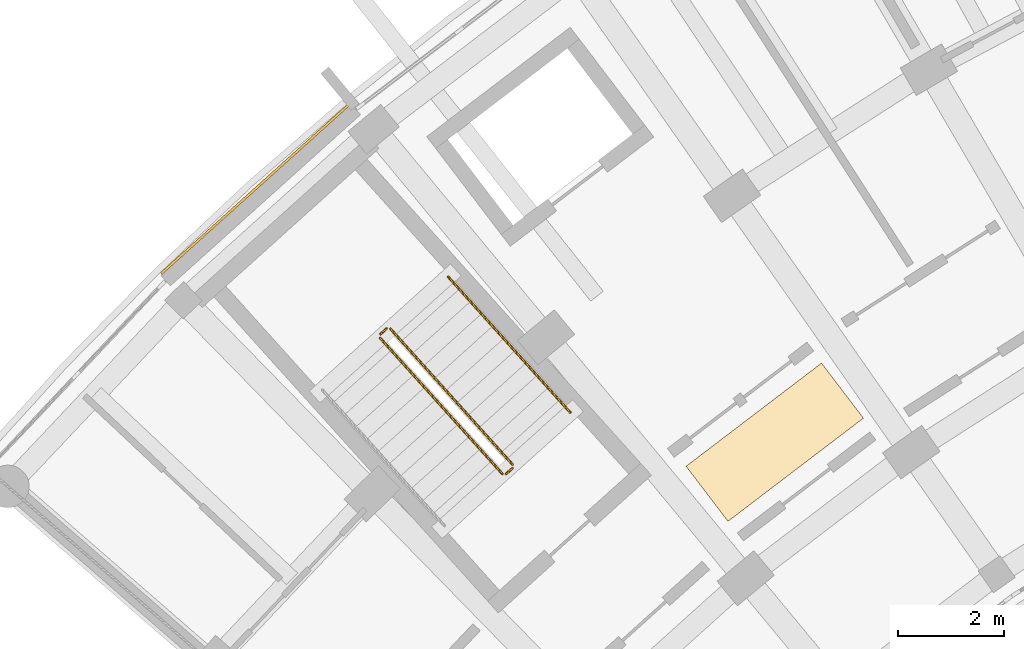
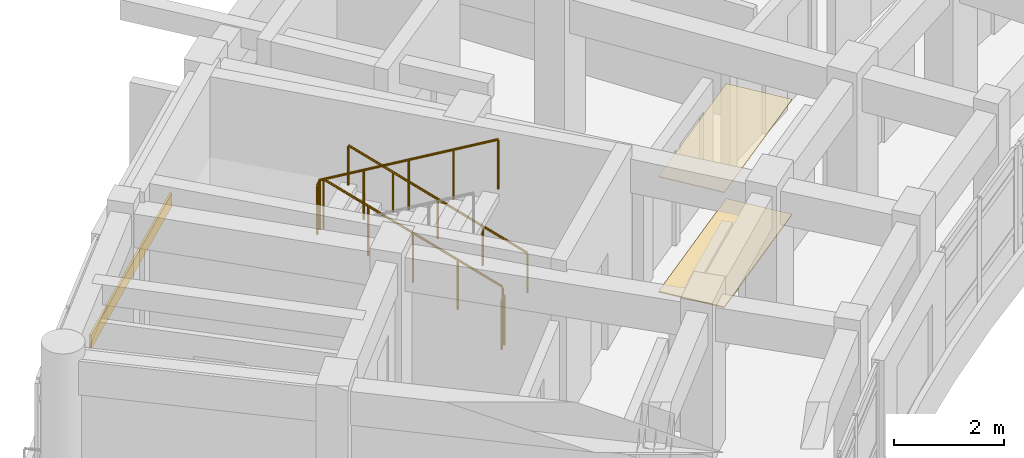
# One storey, part 74 of 83: 5 railings, 3 coverings.
"""IFC4 building model written with IfcOpenShell, lengths in metres."""

from ifc_helpers import new_model, si_unit, direction, frame, origin, origin_2d, place, context, subcontext, project, spatial, rectangle, circle, extrude, material, layer, layer_set, type_object, element, save


model = new_model("IFC4")

# Units and contexts
model_context = context("Model", 3, precision=1e-05, world=origin(), true_north=direction((0.0, 1.0)))
body_context = subcontext(model_context, "Body", "Model", "MODEL_VIEW")
ifc_project = project(units=[si_unit("LENGTHUNIT", "METRE"), si_unit("AREAUNIT", "SQUARE_METRE"), si_unit("VOLUMEUNIT", "CUBIC_METRE"), si_unit("PLANEANGLEUNIT", "RADIAN"), si_unit("MASSUNIT", "GRAM", prefix="KILO")], contexts=[model_context])

# Site, building, storey
site_placement = place(None, origin())
site = spatial("IfcSite", under=ifc_project, at=site_placement, CompositionType="ELEMENT")
building_placement = place(site_placement, origin())
building = spatial("IfcBuilding", under=site, at=building_placement, Name="Zimvara Arc Housing Community", CompositionType="ELEMENT")
storey_placement = place(building_placement, frame((0.0, 0.0, 4.5)))
storey = spatial("IfcBuildingStorey", under=building, at=storey_placement, Name="L01", CompositionType="ELEMENT", Elevation=4.5)

# Coverings
ifc_material_1 = material(Name="Pale-Gold Anodised Aluminium Cladding", Category="aluminium")
ifc_layer_1 = layer(ifc_material_1, 0.044921875)
ifc_layer_set_1 = layer_set([ifc_layer_1], Name="Pale-Gold Anodised Aluminium Cladding")
covering_type_1 = type_object("IfcCoveringType", Name="CLD-GOLD-02", PredefinedType="CLADDING", material=ifc_layer_set_1)
covering_1_placement = place(storey_placement, frame((5.213134765625, 88.71875, 0.009765625), z_axis=(0.0, 0.0, 1.0), x_axis=(0.74337718344, 0.668872456557, 0.0)))
element("IfcCovering", 1, at=covering_1_placement, inside=storey, type_object=covering_type_1, Name="cld:blkA:L01:out:b1", PredefinedType="CLADDING", context=body_context, shape_type="SweptSolid", body=[
    extrude(rectangle(XDim=4.748779296875, YDim=0.044921875, at=origin_2d()), origin(), (0.0, 0.0, 1.0), 0.300048828125),
])
ifc_material_2 = material(Name="Perforated Acoustic Ceiling Board")
ifc_layer_2 = layer(ifc_material_2, 0.02197265625)
ifc_layer_set_2 = layer_set([ifc_layer_2], Name="Perforated Acoustic Ceiling Board")
covering_type_2 = type_object("IfcCoveringType", Name="COV-CEIL-02", PredefinedType="CEILING", material=ifc_layer_set_2)
covering_2_placement = place(storey_placement, frame((14.974853515625, 83.959228515625, 2.55810546875), z_axis=(0.0, 0.0, 1.0), x_axis=(-0.605988400266, 0.795473480855, 0.0)))
element("IfcCovering", 2, at=covering_2_placement, inside=storey, type_object=covering_type_2, Name="ceil:blkA:L01", PredefinedType="CEILING", context=body_context, shape_type="SweptSolid", body=[
    extrude(rectangle(XDim=1.300048828125, YDim=3.199951171875, at=origin_2d()), origin(), (0.0, 0.0, 1.0), 0.02197265625),
])
ifc_material_3 = material(Name="Polished Coastal Sand Terrazzo")
ifc_layer_3 = layer(ifc_material_3, 0.02392578125)
ifc_layer_set_3 = layer_set([ifc_layer_3], Name="Polished Coastal Sand Terrazzo")
covering_type_3 = type_object("IfcCoveringType", Name="COV-FLOR-02", PredefinedType="FLOORING", material=ifc_layer_set_3)
covering_3_placement = place(storey_placement, frame((14.974853515625, 83.959228515625, 0.0), z_axis=(0.0, 0.0, 1.0), x_axis=(-0.605988400266, 0.795473480855, 0.0)))
element("IfcCovering", 3, at=covering_3_placement, inside=storey, type_object=covering_type_3, Name="flor:blkA:L01", PredefinedType="FLOORING", context=body_context, shape_type="SweptSolid", body=[
    extrude(rectangle(XDim=1.300048828125, YDim=3.199951171875, at=origin_2d()), origin(), (0.0, 0.0, 1.0), 0.02392578125),
])

# Railings
ifc_material_4 = material(Name="Anodised Aluminium AW-6063", Category="aluminium")
railing_type_1 = type_object("IfcRailingType", Name="RLG-BAL-1120", PredefinedType="BALUSTRADE", material=ifc_material_4)
railing_1_placement = place(storey_placement, frame((10.0478515625, 83.5400390625, 0.14990234375)))
element("IfcRailing", 4, at=railing_1_placement, inside=storey, type_object=railing_type_1, Name="L01 ST-A1 stair guard 1", PredefinedType="BALUSTRADE", context=body_context, shape_type="SweptSolid", body=[
    extrude(circle(Radius=0.02392578125, at=origin_2d()), frame((0.0, 0.0, 1.09619140625), z_axis=(-0.602827024124, 0.669950271413, 0.433319988945), x_axis=(-0.743364884473, -0.668886125235, 0.0)), (0.0, 0.0, 1.0), 3.80810546875),
    extrude(circle(Radius=0.02099609375, at=origin_2d()), origin(), (0.0, 0.0, 1.0), 1.072021484375),
    extrude(circle(Radius=0.02099609375, at=origin_2d()), frame((-0.573974609375, 0.6376953125, 0.41259765625)), (0.0, 0.0, 1.0), 1.072021484375),
    extrude(circle(Radius=0.02099609375, at=origin_2d()), frame((-1.14794921875, 1.275634765625, 0.8251953125)), (0.0, 0.0, 1.0), 1.072021484375),
    extrude(circle(Radius=0.02099609375, at=origin_2d()), frame((-1.7216796875, 1.91357421875, 1.237548828125)), (0.0, 0.0, 1.0), 1.072021484375),
    extrude(circle(Radius=0.02099609375, at=origin_2d()), frame((-2.295654296875, 2.55126953125, 1.650146484375)), (0.0, 0.0, 1.0), 1.072021484375),
])
railing_2_placement = place(storey_placement, frame((7.681640625, 86.094970703125, 1.800048828125)))
element("IfcRailing", 5, at=railing_2_placement, inside=storey, type_object=railing_type_1, Name="L01 ST-A1 stair guard 2", PredefinedType="BALUSTRADE", context=body_context, shape_type="SweptSolid", body=[
    extrude(circle(Radius=0.02392578125, at=origin_2d()), frame((0.0, 0.0, 1.09619140625), z_axis=(-0.743521848755, -0.668711642207, 0.0), x_axis=(0.668711642207, -0.743521848755, 0.0)), (0.0, 0.0, 1.0), 0.159912109375),
    extrude(circle(Radius=0.02099609375, at=origin_2d()), origin(), (0.0, 0.0, 1.0), 1.072021484375),
    extrude(circle(Radius=0.02099609375, at=origin_2d()), frame((-0.118896484375, -0.10693359375, 0.0)), (0.0, 0.0, 1.0), 1.072021484375),
])
railing_3_placement = place(storey_placement, frame((7.558837890625, 85.917236328125, 1.949951171875)))
element("IfcRailing", 6, at=railing_3_placement, inside=storey, type_object=railing_type_1, Name="L01 ST-A1 stair guard 3", PredefinedType="BALUSTRADE", context=body_context, shape_type="SweptSolid", body=[
    extrude(circle(Radius=0.02392578125, at=origin_2d()), frame((0.0, 0.0, 1.09619140625), z_axis=(0.602827024124, -0.669950271413, 0.433319988945), x_axis=(0.743364884473, 0.668886125235, 0.0)), (0.0, 0.0, 1.0), 3.80810546875),
    extrude(circle(Radius=0.02099609375, at=origin_2d()), origin(), (0.0, 0.0, 1.0), 1.072021484375),
    extrude(circle(Radius=0.02099609375, at=origin_2d()), frame((0.573974609375, -0.6376953125, 0.41259765625)), (0.0, 0.0, 1.0), 1.072021484375),
    extrude(circle(Radius=0.02099609375, at=origin_2d()), frame((1.14794921875, -1.275634765625, 0.8251953125)), (0.0, 0.0, 1.0), 1.072021484375),
    extrude(circle(Radius=0.02099609375, at=origin_2d()), frame((1.7216796875, -1.91357421875, 1.237548828125)), (0.0, 0.0, 1.0), 1.072021484375),
    extrude(circle(Radius=0.02099609375, at=origin_2d()), frame((2.295654296875, -2.55126953125, 1.650146484375)), (0.0, 0.0, 1.0), 1.072021484375),
])
railing_4_placement = place(storey_placement, frame((10.0439453125, 83.469482421875, 0.0)))
element("IfcRailing", 7, at=railing_4_placement, inside=storey, type_object=railing_type_1, Name="L01 ST-A1 stair guard 4", PredefinedType="BALUSTRADE", context=body_context, shape_type="SweptSolid", body=[
    extrude(circle(Radius=0.02392578125, at=origin_2d()), frame((0.0, 0.0, 1.09619140625), z_axis=(-0.742763048172, -0.669554369913, 0.0), x_axis=(0.669554369913, -0.742763048172, 0.0)), (0.0, 0.0, 1.0), 0.16015625),
    extrude(circle(Radius=0.02099609375, at=origin_2d()), origin(), (0.0, 0.0, 1.0), 1.072021484375),
    extrude(circle(Radius=0.02099609375, at=origin_2d()), frame((-0.118896484375, -0.107177734375, 0.0)), (0.0, 0.0, 1.0), 1.072021484375),
])
ifc_material_5 = material(Name="Anodised Aluminium AW-6063", Category="aluminium")
railing_type_2 = type_object("IfcRailingType", Name="RLG-HND-900", PredefinedType="HANDRAIL", material=ifc_material_5)
railing_5_placement = place(storey_placement, frame((11.133056640625, 84.5166015625, 0.14990234375)))
element("IfcRailing", 8, at=railing_5_placement, inside=storey, type_object=railing_type_2, Name="L01 ST-A1 stair handrail 1", PredefinedType="HANDRAIL", context=body_context, shape_type="SweptSolid", body=[
    extrude(circle(Radius=0.02392578125, at=origin_2d()), frame((0.0, 0.0, 0.8759765625), z_axis=(-0.602786209312, 0.669976163296, 0.433336735667), x_axis=(-0.743400255518, -0.668846813625, 0.0)), (0.0, 0.0, 1.0), 3.80810546875),
    extrude(circle(Radius=0.02099609375, at=origin_2d()), origin(), (0.0, 0.0, 1.0), 0.851806640625),
    extrude(circle(Radius=0.02099609375, at=origin_2d()), frame((-0.57373046875, 0.6376953125, 0.41259765625)), (0.0, 0.0, 1.0), 0.851806640625),
    extrude(circle(Radius=0.02099609375, at=origin_2d()), frame((-1.147705078125, 1.275634765625, 0.8251953125)), (0.0, 0.0, 1.0), 0.851806640625),
    extrude(circle(Radius=0.02099609375, at=origin_2d()), frame((-1.7216796875, 1.91357421875, 1.237548828125)), (0.0, 0.0, 1.0), 0.851806640625),
    extrude(circle(Radius=0.02099609375, at=origin_2d()), frame((-2.29541015625, 2.55126953125, 1.650146484375)), (0.0, 0.0, 1.0), 0.851806640625),
])

save(model, "model.ifc")
